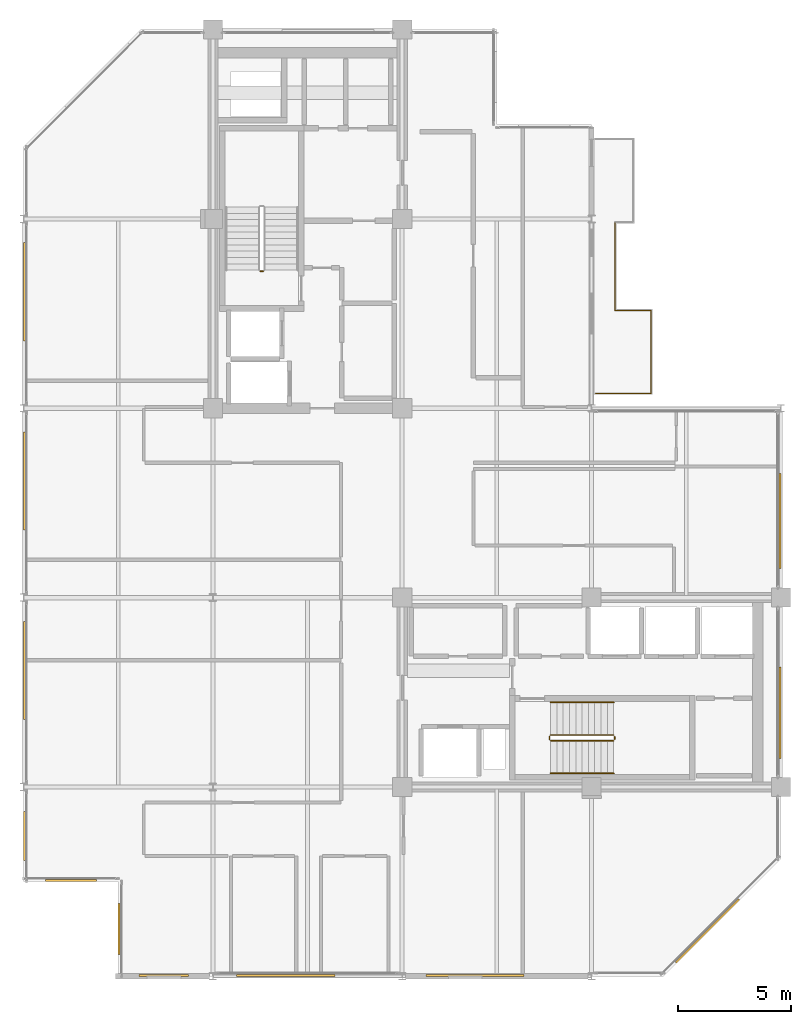
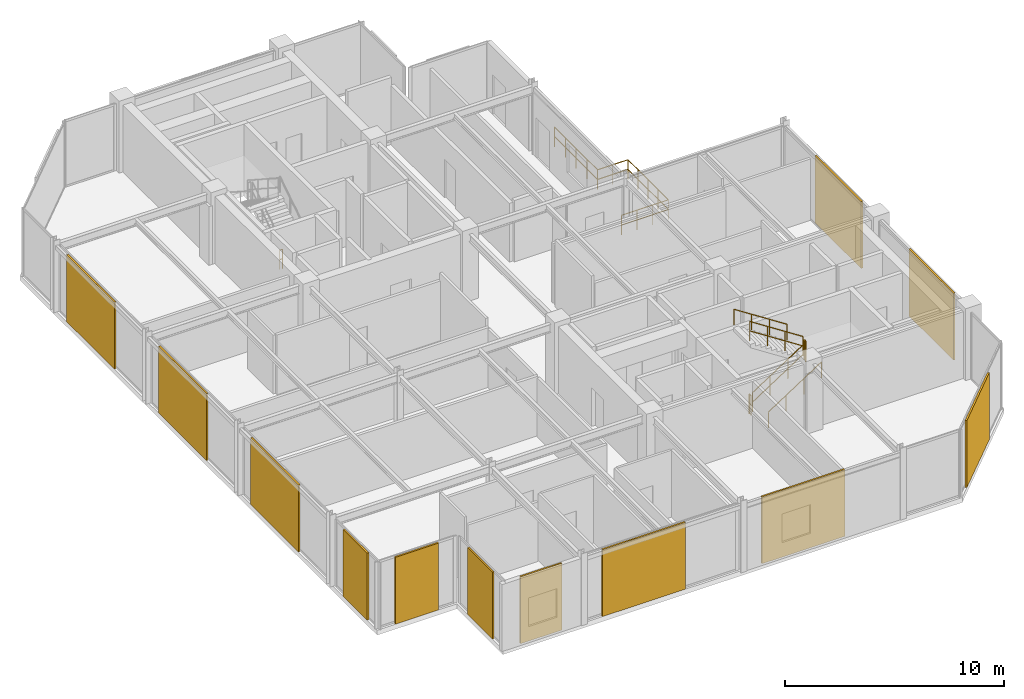
# One storey, part 23 of 24: 12 coverings, 11 railings.
"""IFC4 building model written with IfcOpenShell, lengths in metres."""

from ifc_helpers import new_model, si_unit, direction, frame, origin, origin_2d, place, context, subcontext, project, spatial, rectangle, circle, extrude, material, layer, layer_set, type_object, element, save


model = new_model("IFC4")

# Units and contexts
model_context = context("Model", 3, precision=1e-05, world=origin(), true_north=direction((0.0, 1.0)))
body_context = subcontext(model_context, "Body", "Model", "MODEL_VIEW")
ifc_project = project(units=[si_unit("LENGTHUNIT", "METRE"), si_unit("AREAUNIT", "SQUARE_METRE"), si_unit("VOLUMEUNIT", "CUBIC_METRE"), si_unit("PLANEANGLEUNIT", "RADIAN"), si_unit("MASSUNIT", "GRAM", prefix="KILO")], contexts=[model_context])

# Site, building, storey
site_placement = place(None, origin())
site = spatial("IfcSite", under=ifc_project, at=site_placement, CompositionType="ELEMENT")
building_placement = place(site_placement, origin())
building = spatial("IfcBuilding", under=site, at=building_placement, Name="Nerrivon Quay Data Exchange", CompositionType="ELEMENT")
storey_placement = place(building_placement, frame((0.0, 0.0, 294.199951171875)))
storey = spatial("IfcBuildingStorey", under=building, at=storey_placement, Name="L70", CompositionType="ELEMENT", Elevation=294.199951171875)

# Coverings
ifc_material_1 = material(Name="Architectural terracotta ceramic", Category="masonry")
ifc_layer = layer(ifc_material_1, 0.090087890625)
ifc_layer_set = layer_set([ifc_layer], Name="Architectural terracotta ceramic")
covering_type = type_object("IfcCoveringType", Name="COV-SCR-TERR", PredefinedType="CLADDING", material=ifc_layer_set)
covering_1_placement = place(storey_placement, frame((30.34423828125, 2.0078125, 0.0), z_axis=(0.0, 0.0, 1.0), x_axis=(-0.707106781187, -0.707106781187, 0.0)))
element("IfcCovering", 1, at=covering_1_placement, inside=storey, type_object=covering_type, Name="L70 Perforated Terracotta SOLAR SCREEN Cassette", PredefinedType="CLADDING", context=body_context, shape_type="SweptSolid", body=[
    extrude(rectangle(XDim=3.970947265625, YDim=0.090087890625, at=origin_2d()), origin(), (0.0, 0.0, 1.0), 3.72509765625),
])
for number, where, z_axis, x_axis, name in (
    (2, (20.029296875, 0.044921875, 0.0), (0.0, 0.0, 1.0), (-1.0, 0.0, 0.0), "L70 Perforated Terracotta SOLAR SCREEN Cassette"),
    (3, (11.62939453125, 0.044921875, 0.0), (0.0, 0.0, 1.0), (-1.0, 0.0, 0.0), "L70 Perforated Terracotta SOLAR SCREEN Cassette"),
):
    element("IfcCovering", number, at=place(storey_placement, frame(where, z_axis=z_axis, x_axis=x_axis)), inside=storey, type_object=covering_type, Name=name, PredefinedType="CLADDING", context=body_context, shape_type="SweptSolid", body=[
        extrude(rectangle(XDim=4.367919921875, YDim=0.090087890625, at=origin_2d()), origin(), (0.0, 0.0, 1.0), 3.72509765625),
    ])
covering_2_placement = place(storey_placement, frame((6.222412109375, 0.044921875, 0.0), z_axis=(0.0, 0.0, 1.0), x_axis=(-1.0, 0.0, 0.0)))
element("IfcCovering", 4, at=covering_2_placement, inside=storey, type_object=covering_type, Name="L70 Perforated Terracotta SOLAR SCREEN Cassette", PredefinedType="CLADDING", context=body_context, shape_type="SweptSolid", body=[
    extrude(rectangle(XDim=2.18408203125, YDim=0.090087890625, at=origin_2d()), origin(), (0.0, 0.0, 1.0), 3.72509765625),
])
for number, where, z_axis, x_axis, name in (
    (5, (4.2451171875, 2.10009765625, 0.0), (0.0, 0.0, 1.0), (0.0, 1.0, 0.0), "L70 Perforated Terracotta SOLAR SCREEN Cassette"),
    (6, (2.10009765625, 4.2451171875, 0.0), (0.0, 0.0, 1.0), (-1.0, 0.0, 0.0), "L70 Perforated Terracotta SOLAR SCREEN Cassette"),
):
    element("IfcCovering", number, at=place(storey_placement, frame(where, z_axis=z_axis, x_axis=x_axis)), inside=storey, type_object=covering_type, Name=name, PredefinedType="CLADDING", context=body_context, shape_type="SweptSolid", body=[
        extrude(rectangle(XDim=2.26806640625, YDim=0.090087890625, at=origin_2d()), origin(), (0.0, 0.0, 1.0), 3.72509765625),
    ])
covering_3_placement = place(storey_placement, frame((0.044921875, 6.21826171875, 0.0), z_axis=(0.0, 0.0, 1.0), x_axis=(0.0, 1.0, 0.0)))
element("IfcCovering", 7, at=covering_3_placement, inside=storey, type_object=covering_type, Name="L70 Perforated Terracotta SOLAR SCREEN Cassette", PredefinedType="CLADDING", context=body_context, shape_type="SweptSolid", body=[
    extrude(rectangle(XDim=2.179931640625, YDim=0.090087890625, at=origin_2d()), origin(), (0.0, 0.0, 1.0), 3.72509765625),
])
for number, where, z_axis, x_axis, name in (
    (8, (0.044921875, 13.56884765625, 0.0), (0.0, 0.0, 1.0), (0.0, 1.0, 0.0), "L70 Perforated Terracotta SOLAR SCREEN Cassette"),
    (9, (0.044921875, 21.96875, 0.0), (0.0, 0.0, 1.0), (0.0, 1.0, 0.0), "L70 Perforated Terracotta SOLAR SCREEN Cassette"),
    (10, (0.044921875, 30.368896484375, 0.0), (0.0, 0.0, 1.0), (0.0, 1.0, 0.0), "L70 Perforated Terracotta SOLAR SCREEN Cassette"),
):
    element("IfcCovering", number, at=place(storey_placement, frame(where, z_axis=z_axis, x_axis=x_axis)), inside=storey, type_object=covering_type, Name=name, PredefinedType="CLADDING", context=body_context, shape_type="SweptSolid", body=[
        extrude(rectangle(XDim=4.35888671875, YDim=0.090087890625, at=origin_2d()), origin(), (0.0, 0.0, 1.0), 3.72509765625),
    ])
covering_4_placement = place(storey_placement, frame((33.554931640625, 20.193359375, 0.0), z_axis=(0.0, 0.0, 1.0), x_axis=(0.0, -1.0, 0.0)))
element("IfcCovering", 11, at=covering_4_placement, inside=storey, type_object=covering_type, Name="L70 Perforated Terracotta SOLAR SCREEN Cassette", PredefinedType="CLADDING", context=body_context, shape_type="SweptSolid", body=[
    extrude(rectangle(XDim=4.218017578125, YDim=0.090087890625, at=origin_2d()), origin(), (0.0, 0.0, 1.0), 3.72509765625),
])
covering_5_placement = place(storey_placement, frame((33.554931640625, 11.694091796875, 0.0), z_axis=(0.0, 0.0, 1.0), x_axis=(0.0, -1.0, 0.0)))
element("IfcCovering", 12, at=covering_5_placement, inside=storey, type_object=covering_type, Name="L70 Perforated Terracotta SOLAR SCREEN Cassette", PredefinedType="CLADDING", context=body_context, shape_type="SweptSolid", body=[
    extrude(rectangle(XDim=4.076904296875, YDim=0.090087890625, at=origin_2d()), origin(), (0.0, 0.0, 1.0), 3.72509765625),
])

# Railings
ifc_material_2 = material(Name="Steel Grade C350L0 (350 MPa)", Category="steel")
railing_type_1 = type_object("IfcRailingType", Name="RAIL-GUARD-GR2", PredefinedType="BALUSTRADE", material=ifc_material_2)
railing_1_placement = place(storey_placement, frame((26.239990234375, 29.5400390625, 0.0)))
element("IfcRailing", 13, at=railing_1_placement, inside=storey, type_object=railing_type_1, Name="L70 Verandah Balcony Guard 1.1 1", PredefinedType="BALUSTRADE", context=body_context, shape_type="SweptSolid", body=[
    extrude(circle(Radius=0.02392578125, at=origin_2d()), frame((0.0, 0.0, 1.09619140625), z_axis=(1.0, 0.0, 0.0), x_axis=(0.0, 1.0, 0.0)), (0.0, 0.0, 1.0), 1.60009765625),
    extrude(circle(Radius=0.02392578125, at=origin_2d()), frame((0.0, 0.0, 0.56005859375), z_axis=(1.0, 0.0, 0.0), x_axis=(0.0, 1.0, 0.0)), (0.0, 0.0, 1.0), 1.60009765625),
    extrude(circle(Radius=0.02099609375, at=origin_2d()), origin(), (0.0, 0.0, 1.0), 1.072021484375),
    extrude(circle(Radius=0.02099609375, at=origin_2d()), frame((0.800048828125, 0.0, 0.0)), (0.0, 0.0, 1.0), 1.072021484375),
    extrude(circle(Radius=0.02099609375, at=origin_2d()), frame((1.60009765625, 0.0, 0.0)), (0.0, 0.0, 1.0), 1.072021484375),
])
railing_2_placement = place(storey_placement, frame((27.840087890625, 29.5400390625, 0.0)))
element("IfcRailing", 14, at=railing_2_placement, inside=storey, type_object=railing_type_1, Name="L70 Verandah Balcony Guard 1.2 1", PredefinedType="BALUSTRADE", context=body_context, shape_type="SweptSolid", body=[
    extrude(circle(Radius=0.02392578125, at=origin_2d()), frame((0.0, 0.0, 1.09619140625), z_axis=(0.0, -1.0, 0.0), x_axis=(1.0, 0.0, 0.0)), (0.0, 0.0, 1.0), 3.679931640625),
    extrude(circle(Radius=0.02392578125, at=origin_2d()), frame((0.0, 0.0, 0.56005859375), z_axis=(0.0, -1.0, 0.0), x_axis=(1.0, 0.0, 0.0)), (0.0, 0.0, 1.0), 3.679931640625),
    extrude(circle(Radius=0.02099609375, at=origin_2d()), origin(), (0.0, 0.0, 1.0), 1.072021484375),
    extrude(circle(Radius=0.02099609375, at=origin_2d()), frame((0.0, -0.919921875, 0.0)), (0.0, 0.0, 1.0), 1.072021484375),
    extrude(circle(Radius=0.02099609375, at=origin_2d()), frame((0.0, -1.83984375, 0.0)), (0.0, 0.0, 1.0), 1.072021484375),
    extrude(circle(Radius=0.02099609375, at=origin_2d()), frame((0.0, -2.760009765625, 0.0)), (0.0, 0.0, 1.0), 1.072021484375),
    extrude(circle(Radius=0.02099609375, at=origin_2d()), frame((0.0, -3.679931640625, 0.0)), (0.0, 0.0, 1.0), 1.072021484375),
])
railing_3_placement = place(storey_placement, frame((27.840087890625, 25.860107421875, 0.0)))
element("IfcRailing", 15, at=railing_3_placement, inside=storey, type_object=railing_type_1, Name="L70 Verandah Balcony Guard 1.3 1", PredefinedType="BALUSTRADE", context=body_context, shape_type="SweptSolid", body=[
    extrude(circle(Radius=0.02392578125, at=origin_2d()), frame((0.0, 0.0, 1.09619140625), z_axis=(-1.0, 0.0, 0.0), x_axis=(0.0, -1.0, 0.0)), (0.0, 0.0, 1.0), 2.460205078125),
    extrude(circle(Radius=0.02392578125, at=origin_2d()), frame((0.0, 0.0, 0.56005859375), z_axis=(-1.0, 0.0, 0.0), x_axis=(0.0, -1.0, 0.0)), (0.0, 0.0, 1.0), 2.460205078125),
    extrude(circle(Radius=0.02099609375, at=origin_2d()), origin(), (0.0, 0.0, 1.0), 1.072021484375),
    extrude(circle(Radius=0.02099609375, at=origin_2d()), frame((-0.820068359375, 0.0, 0.0)), (0.0, 0.0, 1.0), 1.072021484375),
    extrude(circle(Radius=0.02099609375, at=origin_2d()), frame((-1.64013671875, 0.0, 0.0)), (0.0, 0.0, 1.0), 1.072021484375),
    extrude(circle(Radius=0.02099609375, at=origin_2d()), frame((-2.460205078125, 0.0, 0.0)), (0.0, 0.0, 1.0), 1.072021484375),
])
railing_4_placement = place(storey_placement, frame((26.239990234375, 33.4599609375, 0.0)))
element("IfcRailing", 16, at=railing_4_placement, inside=storey, type_object=railing_type_1, Name="L70 Verandah Balcony Guard 1.7 1", PredefinedType="BALUSTRADE", context=body_context, shape_type="SweptSolid", body=[
    extrude(circle(Radius=0.02392578125, at=origin_2d()), frame((0.0, 0.0, 1.09619140625), z_axis=(0.0, -1.0, 0.0), x_axis=(1.0, 0.0, 0.0)), (0.0, 0.0, 1.0), 3.919921875),
    extrude(circle(Radius=0.02392578125, at=origin_2d()), frame((0.0, 0.0, 0.56005859375), z_axis=(0.0, -1.0, 0.0), x_axis=(1.0, 0.0, 0.0)), (0.0, 0.0, 1.0), 3.919921875),
    extrude(circle(Radius=0.02099609375, at=origin_2d()), origin(), (0.0, 0.0, 1.0), 1.072021484375),
    extrude(circle(Radius=0.02099609375, at=origin_2d()), frame((0.0, -0.97998046875, 0.0)), (0.0, 0.0, 1.0), 1.072021484375),
    extrude(circle(Radius=0.02099609375, at=origin_2d()), frame((0.0, -1.9599609375, 0.0)), (0.0, 0.0, 1.0), 1.072021484375),
    extrude(circle(Radius=0.02099609375, at=origin_2d()), frame((0.0, -2.93994140625, 0.0)), (0.0, 0.0, 1.0), 1.072021484375),
    extrude(circle(Radius=0.02099609375, at=origin_2d()), frame((0.0, -3.919921875, 0.0)), (0.0, 0.0, 1.0), 1.072021484375),
])
railing_type_2 = type_object("IfcRailingType", Name="RAIL-HAND-HR1", PredefinedType="HANDRAIL", material=ifc_material_2)
railing_5_placement = place(storey_placement, frame((23.3798828125, 9.0, 0.181884765625)))
element("IfcRailing", 17, at=railing_5_placement, inside=storey, type_object=railing_type_2, Name="L70 ST02 stair handrail 1", PredefinedType="HANDRAIL", context=body_context, shape_type="SweptSolid", body=[
    extrude(circle(Radius=0.02392578125, at=origin_2d()), frame((0.0, 0.0, 0.8759765625), z_axis=(0.838705829183, 0.0, 0.544584733623), x_axis=(0.0, 1.0, 0.0)), (0.0, 0.0, 1.0), 3.338623046875),
    extrude(circle(Radius=0.02099609375, at=origin_2d()), origin(), (0.0, 0.0, 1.0), 0.851806640625),
    extrude(circle(Radius=0.02099609375, at=origin_2d()), frame((0.933349609375, 0.0, 0.60595703125)), (0.0, 0.0, 1.0), 0.851806640625),
    extrude(circle(Radius=0.02099609375, at=origin_2d()), frame((1.86669921875, 0.0, 1.212158203125)), (0.0, 0.0, 1.0), 0.851806640625),
    extrude(circle(Radius=0.02099609375, at=origin_2d()), frame((2.800048828125, 0.0, 1.818115234375)), (0.0, 0.0, 1.0), 0.851806640625),
])
railing_6_placement = place(storey_placement, frame((26.179931640625, 12.14990234375, 2.181884765625)))
element("IfcRailing", 18, at=railing_6_placement, inside=storey, type_object=railing_type_2, Name="L70 ST02 stair handrail 2", PredefinedType="HANDRAIL", context=body_context, shape_type="SweptSolid", body=[
    extrude(circle(Radius=0.02392578125, at=origin_2d()), frame((0.0, 0.0, 0.8759765625), z_axis=(-0.838705829183, 0.0, 0.544584733623), x_axis=(0.0, -1.0, 0.0)), (0.0, 0.0, 1.0), 3.338623046875),
    extrude(circle(Radius=0.02099609375, at=origin_2d()), origin(), (0.0, 0.0, 1.0), 0.851806640625),
    extrude(circle(Radius=0.02099609375, at=origin_2d()), frame((-0.933349609375, 0.0, 0.60595703125)), (0.0, 0.0, 1.0), 0.851806640625),
    extrude(circle(Radius=0.02099609375, at=origin_2d()), frame((-1.86669921875, 0.0, 1.212158203125)), (0.0, 0.0, 1.0), 0.851806640625),
    extrude(circle(Radius=0.02099609375, at=origin_2d()), frame((-2.800048828125, 0.0, 1.818115234375)), (0.0, 0.0, 1.0), 0.851806640625),
])
railing_type_3 = type_object("IfcRailingType", Name="RAIL-STAIR-GR1", PredefinedType="BALUSTRADE", material=ifc_material_2)
railing_7_placement = place(storey_placement, frame((10.64990234375, 31.280029296875, 0.0)))
element("IfcRailing", 19, at=railing_7_placement, inside=storey, type_object=railing_type_3, Name="L70 ST01 stair guard 4", PredefinedType="BALUSTRADE", context=body_context, shape_type="SweptSolid", body=[
    extrude(circle(Radius=0.02392578125, at=origin_2d()), frame((0.0, 0.0, 1.076171875), z_axis=(-1.0, 0.0, 0.0), x_axis=(0.0, -1.0, 0.0)), (0.0, 0.0, 1.0), 0.14990234375),
    extrude(circle(Radius=0.02392578125, at=origin_2d()), frame((0.0, 0.0, 0.550048828125), z_axis=(-1.0, 0.0, 0.0), x_axis=(0.0, -1.0, 0.0)), (0.0, 0.0, 1.0), 0.14990234375),
    extrude(circle(Radius=0.02099609375, at=origin_2d()), origin(), (0.0, 0.0, 1.0), 1.052001953125),
    extrude(circle(Radius=0.02099609375, at=origin_2d()), frame((-0.14990234375, 0.0, 0.0)), (0.0, 0.0, 1.0), 1.052001953125),
])
railing_8_placement = place(storey_placement, frame((23.3798828125, 10.449951171875, 0.181884765625)))
element("IfcRailing", 20, at=railing_8_placement, inside=storey, type_object=railing_type_3, Name="L70 ST02 stair guard 1", PredefinedType="BALUSTRADE", context=body_context, shape_type="SweptSolid", body=[
    extrude(circle(Radius=0.02392578125, at=origin_2d()), frame((0.0, 0.0, 1.076171875), z_axis=(0.838705829183, 0.0, 0.544584733623), x_axis=(0.0, 1.0, 0.0)), (0.0, 0.0, 1.0), 3.338623046875),
    extrude(circle(Radius=0.02392578125, at=origin_2d()), frame((0.0, 0.0, 0.550048828125), z_axis=(0.838705829183, 0.0, 0.544584733623), x_axis=(0.0, 1.0, 0.0)), (0.0, 0.0, 1.0), 3.338623046875),
    extrude(circle(Radius=0.02099609375, at=origin_2d()), origin(), (0.0, 0.0, 1.0), 1.052001953125),
    extrude(circle(Radius=0.02099609375, at=origin_2d()), frame((0.933349609375, 0.0, 0.60595703125)), (0.0, 0.0, 1.0), 1.052001953125),
    extrude(circle(Radius=0.02099609375, at=origin_2d()), frame((1.86669921875, 0.0, 1.212158203125)), (0.0, 0.0, 1.0), 1.052001953125),
    extrude(circle(Radius=0.02099609375, at=origin_2d()), frame((2.800048828125, 0.0, 1.818115234375)), (0.0, 0.0, 1.0), 1.052001953125),
])
railing_9_placement = place(storey_placement, frame((26.22998046875, 10.5, 2.0)))
element("IfcRailing", 21, at=railing_9_placement, inside=storey, type_object=railing_type_3, Name="L70 ST02 stair guard 2", PredefinedType="BALUSTRADE", context=body_context, shape_type="SweptSolid", body=[
    extrude(circle(Radius=0.02392578125, at=origin_2d()), frame((0.0, 0.0, 1.076171875), z_axis=(0.0, 1.0, 0.0), x_axis=(-1.0, 0.0, 0.0)), (0.0, 0.0, 1.0), 0.14990234375),
    extrude(circle(Radius=0.02392578125, at=origin_2d()), frame((0.0, 0.0, 0.550048828125), z_axis=(0.0, 1.0, 0.0), x_axis=(-1.0, 0.0, 0.0)), (0.0, 0.0, 1.0), 0.14990234375),
    extrude(circle(Radius=0.02099609375, at=origin_2d()), origin(), (0.0, 0.0, 1.0), 1.052001953125),
    extrude(circle(Radius=0.02099609375, at=origin_2d()), frame((0.0, 0.14990234375, 0.0)), (0.0, 0.0, 1.0), 1.052001953125),
])
railing_10_placement = place(storey_placement, frame((26.179931640625, 10.699951171875, 2.181884765625)))
element("IfcRailing", 22, at=railing_10_placement, inside=storey, type_object=railing_type_3, Name="L70 ST02 stair guard 3", PredefinedType="BALUSTRADE", context=body_context, shape_type="SweptSolid", body=[
    extrude(circle(Radius=0.02392578125, at=origin_2d()), frame((0.0, 0.0, 1.076171875), z_axis=(-0.838705829183, 0.0, 0.544584733623), x_axis=(0.0, -1.0, 0.0)), (0.0, 0.0, 1.0), 3.338623046875),
    extrude(circle(Radius=0.02392578125, at=origin_2d()), frame((0.0, 0.0, 0.550048828125), z_axis=(-0.838705829183, 0.0, 0.544584733623), x_axis=(0.0, -1.0, 0.0)), (0.0, 0.0, 1.0), 3.338623046875),
    extrude(circle(Radius=0.02099609375, at=origin_2d()), origin(), (0.0, 0.0, 1.0), 1.052001953125),
    extrude(circle(Radius=0.02099609375, at=origin_2d()), frame((-0.933349609375, 0.0, 0.60595703125)), (0.0, 0.0, 1.0), 1.052001953125),
    extrude(circle(Radius=0.02099609375, at=origin_2d()), frame((-1.86669921875, 0.0, 1.212158203125)), (0.0, 0.0, 1.0), 1.052001953125),
    extrude(circle(Radius=0.02099609375, at=origin_2d()), frame((-2.800048828125, 0.0, 1.818115234375)), (0.0, 0.0, 1.0), 1.052001953125),
])
railing_11_placement = place(storey_placement, frame((23.330078125, 10.5, 0.0)))
element("IfcRailing", 23, at=railing_11_placement, inside=storey, type_object=railing_type_3, Name="L70 ST02 stair guard 4", PredefinedType="BALUSTRADE", context=body_context, shape_type="SweptSolid", body=[
    extrude(circle(Radius=0.02392578125, at=origin_2d()), frame((0.0, 0.0, 1.076171875), z_axis=(0.0, 1.0, 0.0), x_axis=(-1.0, 0.0, 0.0)), (0.0, 0.0, 1.0), 0.14990234375),
    extrude(circle(Radius=0.02392578125, at=origin_2d()), frame((0.0, 0.0, 0.550048828125), z_axis=(0.0, 1.0, 0.0), x_axis=(-1.0, 0.0, 0.0)), (0.0, 0.0, 1.0), 0.14990234375),
    extrude(circle(Radius=0.02099609375, at=origin_2d()), origin(), (0.0, 0.0, 1.0), 1.052001953125),
    extrude(circle(Radius=0.02099609375, at=origin_2d()), frame((0.0, 0.14990234375, 0.0)), (0.0, 0.0, 1.0), 1.052001953125),
])

save(model, "model.ifc")
